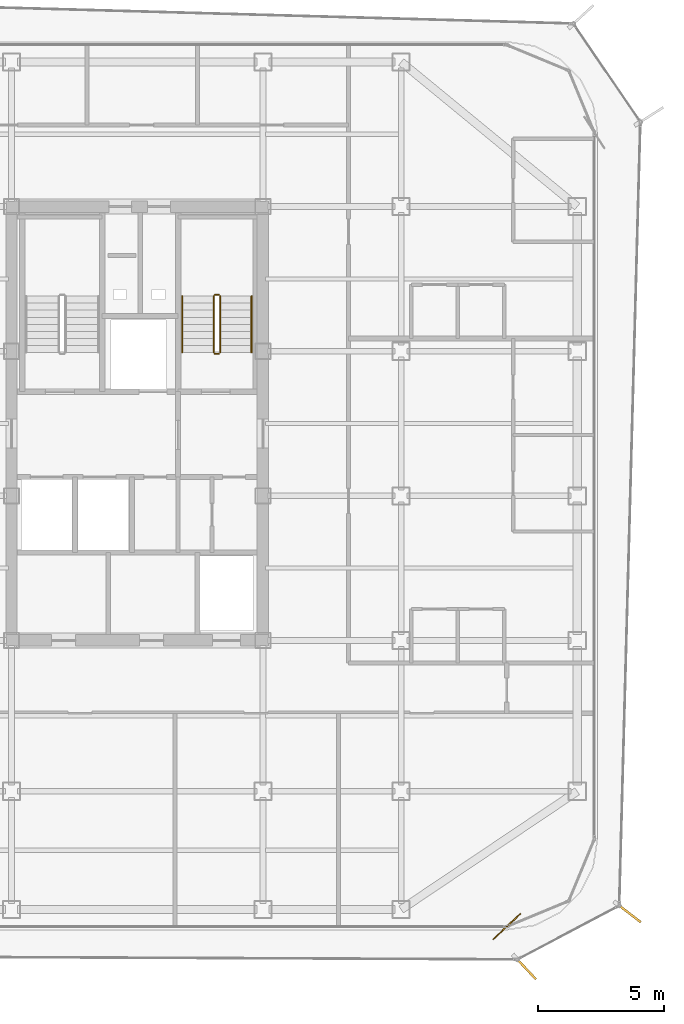
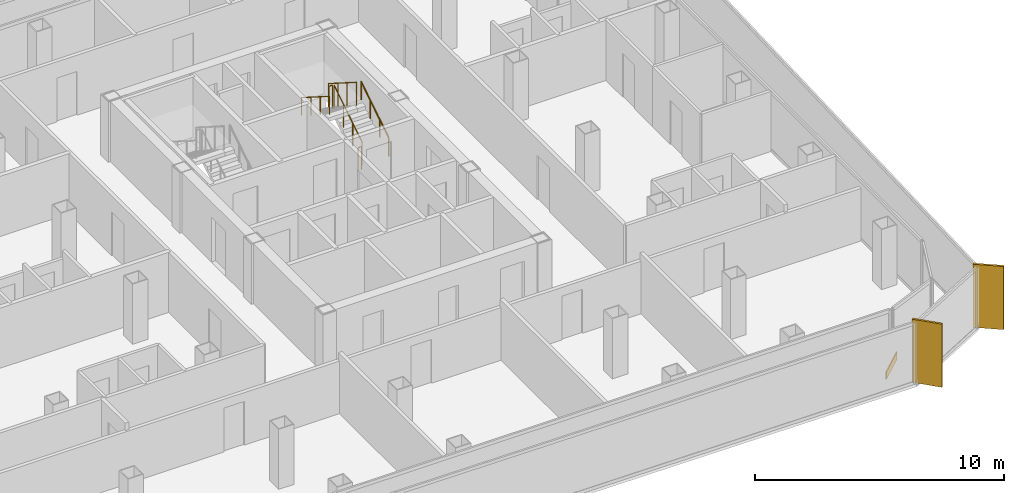
# One storey, part 14 of 15: 6 railings, 2 shading devices, 1 covering.
"""IFC4 building model written with IfcOpenShell, lengths in metres."""

from ifc_helpers import new_model, si_unit, direction, frame, origin, origin_2d, place, context, subcontext, project, spatial, rectangle, circle, extrude, source, transform, mapped, material, layer, layer_set, type_object, element, save


model = new_model("IFC4")

# Units and contexts
model_context = context("Model", 3, precision=1e-05, world=origin(), true_north=direction((0.0, 1.0)))
body_context = subcontext(model_context, "Body", "Model", "MODEL_VIEW")
ifc_project = project(units=[si_unit("LENGTHUNIT", "METRE"), si_unit("AREAUNIT", "SQUARE_METRE"), si_unit("VOLUMEUNIT", "CUBIC_METRE"), si_unit("PLANEANGLEUNIT", "RADIAN"), si_unit("MASSUNIT", "GRAM", prefix="KILO")], contexts=[model_context])

# Site, building, storey
site_placement = place(None, origin())
site = spatial("IfcSite", under=ifc_project, at=site_placement, CompositionType="ELEMENT")
building_placement = place(site_placement, origin())
building = spatial("IfcBuilding", under=site, at=building_placement, Name="Kolveth Station Tower", CompositionType="ELEMENT")
storey_placement = place(building_placement, frame((0.0, 0.0, 193.199951171875)))
storey = spatial("IfcBuildingStorey", under=building, at=storey_placement, Name="L54", CompositionType="ELEMENT", Elevation=193.199951171875)

# Railings
ifc_material_1 = material(Name="Painted Steel S355 balustrade", Category="steel")
railing_type_1 = type_object("IfcRailingType", Name="Guard_GR2", PredefinedType="BALUSTRADE", material=ifc_material_1)
railing_1_placement = place(storey_placement, frame((26.800048828125, 22.949951171875, 0.177734375)))
element("IfcRailing", 1, at=railing_1_placement, inside=storey, type_object=railing_type_1, Name="L54 ST2 stair guard 1", PredefinedType="BALUSTRADE", context=body_context, shape_type="SweptSolid", body=[
    extrude(circle(Radius=0.02392578125, at=origin_2d()), frame((0.0, 0.0, 1.1259765625), z_axis=(0.0, 0.84418770128, 0.536047689118), x_axis=(-1.0, 0.0, 0.0)), (0.0, 0.0, 1.0), 2.6533203125),
    extrude(circle(Radius=0.02099609375, at=origin_2d()), origin(), (0.0, 0.0, 1.0), 1.101806640625),
    extrude(circle(Radius=0.02099609375, at=origin_2d()), frame((0.0, 0.74658203125, 0.47412109375)), (0.0, 0.0, 1.0), 1.101806640625),
    extrude(circle(Radius=0.02099609375, at=origin_2d()), frame((0.0, 1.493408203125, 0.9482421875)), (0.0, 0.0, 1.0), 1.101806640625),
    extrude(circle(Radius=0.02099609375, at=origin_2d()), frame((0.0, 2.239990234375, 1.42236328125)), (0.0, 0.0, 1.0), 1.101806640625),
])
railing_2_placement = place(storey_placement, frame((26.75, 25.239990234375, 1.60009765625)))
element("IfcRailing", 2, at=railing_2_placement, inside=storey, type_object=railing_type_1, Name="L54 ST2 stair guard 2", PredefinedType="BALUSTRADE", context=body_context, shape_type="SweptSolid", body=[
    extrude(circle(Radius=0.02392578125, at=origin_2d()), frame((0.0, 0.0, 1.1259765625), z_axis=(-1.0, 0.0, 0.0), x_axis=(0.0, -1.0, 0.0)), (0.0, 0.0, 1.0), 0.159912109375),
    extrude(circle(Radius=0.02099609375, at=origin_2d()), origin(), (0.0, 0.0, 1.0), 1.101806640625),
    extrude(circle(Radius=0.02099609375, at=origin_2d()), frame((-0.159912109375, 0.0, 0.0)), (0.0, 0.0, 1.0), 1.101806640625),
])
railing_3_placement = place(storey_placement, frame((26.5400390625, 25.18994140625, 1.77783203125)))
element("IfcRailing", 3, at=railing_3_placement, inside=storey, type_object=railing_type_1, Name="L54 ST2 stair guard 3", PredefinedType="BALUSTRADE", context=body_context, shape_type="SweptSolid", body=[
    extrude(circle(Radius=0.02392578125, at=origin_2d()), frame((0.0, 0.0, 1.1259765625), z_axis=(0.0, -0.8442293374, 0.53598211339), x_axis=(1.0, 0.0, 0.0)), (0.0, 0.0, 1.0), 2.6533203125),
    extrude(circle(Radius=0.02099609375, at=origin_2d()), origin(), (0.0, 0.0, 1.0), 1.101806640625),
    extrude(circle(Radius=0.02099609375, at=origin_2d()), frame((0.0, -0.74658203125, 0.47412109375)), (0.0, 0.0, 1.0), 1.101806640625),
    extrude(circle(Radius=0.02099609375, at=origin_2d()), frame((0.0, -1.493408203125, 0.947998046875)), (0.0, 0.0, 1.0), 1.101806640625),
    extrude(circle(Radius=0.02099609375, at=origin_2d()), frame((0.0, -2.239990234375, 1.422119140625)), (0.0, 0.0, 1.0), 1.101806640625),
])
railing_4_placement = place(storey_placement, frame((26.75, 22.89990234375, 0.0)))
element("IfcRailing", 4, at=railing_4_placement, inside=storey, type_object=railing_type_1, Name="L54 ST2 stair guard 4", PredefinedType="BALUSTRADE", context=body_context, shape_type="SweptSolid", body=[
    extrude(circle(Radius=0.02392578125, at=origin_2d()), frame((0.0, 0.0, 1.1259765625), z_axis=(-1.0, 0.0, 0.0), x_axis=(0.0, -1.0, 0.0)), (0.0, 0.0, 1.0), 0.159912109375),
    extrude(circle(Radius=0.02099609375, at=origin_2d()), origin(), (0.0, 0.0, 1.0), 1.101806640625),
    extrude(circle(Radius=0.02099609375, at=origin_2d()), frame((-0.159912109375, 0.0, 0.0)), (0.0, 0.0, 1.0), 1.101806640625),
])
ifc_material_2 = material(Name="Brushed stainless steel", Category="steel")
railing_type_2 = type_object("IfcRailingType", Name="Handrail_HR1", PredefinedType="HANDRAIL", material=ifc_material_2)
railing_5_placement = place(storey_placement, frame((28.050048828125, 22.949951171875, 0.177734375)))
element("IfcRailing", 5, at=railing_5_placement, inside=storey, type_object=railing_type_2, Name="L54 ST2 stair handrail 1", PredefinedType="HANDRAIL", context=body_context, shape_type="SweptSolid", body=[
    extrude(circle(Radius=0.02392578125, at=origin_2d()), frame((0.0, 0.0, 0.8759765625), z_axis=(0.0, 0.84418770128, 0.536047689118), x_axis=(-1.0, 0.0, 0.0)), (0.0, 0.0, 1.0), 2.6533203125),
    extrude(circle(Radius=0.02099609375, at=origin_2d()), origin(), (0.0, 0.0, 1.0), 0.851806640625),
    extrude(circle(Radius=0.02099609375, at=origin_2d()), frame((0.0, 0.74658203125, 0.47412109375)), (0.0, 0.0, 1.0), 0.851806640625),
    extrude(circle(Radius=0.02099609375, at=origin_2d()), frame((0.0, 1.493408203125, 0.9482421875)), (0.0, 0.0, 1.0), 0.851806640625),
    extrude(circle(Radius=0.02099609375, at=origin_2d()), frame((0.0, 2.239990234375, 1.42236328125)), (0.0, 0.0, 1.0), 0.851806640625),
])
railing_6_placement = place(storey_placement, frame((25.2900390625, 25.18994140625, 1.77783203125)))
element("IfcRailing", 6, at=railing_6_placement, inside=storey, type_object=railing_type_2, Name="L54 ST2 stair handrail 2", PredefinedType="HANDRAIL", context=body_context, shape_type="SweptSolid", body=[
    extrude(circle(Radius=0.02392578125, at=origin_2d()), frame((0.0, 0.0, 0.8759765625), z_axis=(0.0, -0.8442293374, 0.53598211339), x_axis=(1.0, 0.0, 0.0)), (0.0, 0.0, 1.0), 2.6533203125),
    extrude(circle(Radius=0.02099609375, at=origin_2d()), origin(), (0.0, 0.0, 1.0), 0.851806640625),
    extrude(circle(Radius=0.02099609375, at=origin_2d()), frame((0.0, -0.74658203125, 0.47412109375)), (0.0, 0.0, 1.0), 0.851806640625),
    extrude(circle(Radius=0.02099609375, at=origin_2d()), frame((0.0, -1.493408203125, 0.947998046875)), (0.0, 0.0, 1.0), 0.851806640625),
    extrude(circle(Radius=0.02099609375, at=origin_2d()), frame((0.0, -2.239990234375, 1.422119140625)), (0.0, 0.0, 1.0), 0.851806640625),
])

# Shading devices
ifc_material_3 = material(Name="Black anodized aluminium 6063-T6", Category="aluminium")
shading_device_type = type_object("IfcShadingDeviceType", Name="FIN_VF1", PredefinedType="USERDEFINED", material=ifc_material_3)
shared_shape_1 = source(origin(), body_context, "Body", "SweptSolid", [
    extrude(rectangle(XDim=1.25, YDim=0.090087890625, at=origin_2d()), origin(), (0.0, 0.0, 1.0), 3.10009765625),
])
for number, where, z_axis, x_axis, name in (
    (7, (38.929931640625, -1.51904296875, 0.0), (0.0, 0.0, 1.0), (0.685182990326, -0.728370969882, 0.0), "L54 Dark-Aluminium Solar Fin 1"),
    (8, (43.031982421875, 0.675048828125, 0.0), (0.0, 0.0, 1.0), (0.79345957712, -0.608622953458, 0.0), "L54 Dark-Aluminium Solar Fin 2"),
):
    element("IfcShadingDevice", number, at=place(storey_placement, frame(where, z_axis=z_axis, x_axis=x_axis)), inside=storey, type_object=shading_device_type, Name=name, ObjectType="FIN", PredefinedType="USERDEFINED", context=body_context, shape_type="MappedRepresentation", body=[
        mapped(shared_shape_1, transform((0.0, 0.0, 0.0), x_axis=(1.0, 0.0, 0.0), y_axis=(0.0, 1.0, 0.0), z_axis=(0.0, 0.0, 1.0), scale=1.0)),
    ])

# Covering
ifc_material_4 = material(Name="Charcoal anodized aluminium spandrel cladding", Category="aluminium")
ifc_layer = layer(ifc_material_4, 0.044921875)
ifc_layer_set = layer_set([ifc_layer], Name="Charcoal anodized aluminium spandrel cladding")
covering_type = type_object("IfcCoveringType", Name="Clad_CD1", PredefinedType="CLADDING", material=ifc_layer_set)
shared_shape_2 = source(origin(), body_context, "Body", "SweptSolid", [
    extrude(rectangle(XDim=1.5, YDim=0.044921875, at=origin_2d()), origin(), (0.0, 0.0, 1.0), 0.360107421875),
])
covering_placement = place(storey_placement, frame((38.199951171875, 0.1201171875, 0.0), z_axis=(0.0, 0.0, 1.0), x_axis=(0.728370969882, 0.685182990326, 0.0)))
element("IfcCovering", 9, at=covering_placement, inside=storey, type_object=covering_type, Name="L54 Spandrel Edge Cladding 1", PredefinedType="CLADDING", context=body_context, shape_type="MappedRepresentation", body=[
    mapped(shared_shape_2, transform((0.0, 0.0, 0.0), x_axis=(1.0, 0.0, 0.0), y_axis=(0.0, 1.0, 0.0), z_axis=(0.0, 0.0, 1.0), scale=1.0)),
])

save(model, "model.ifc")
